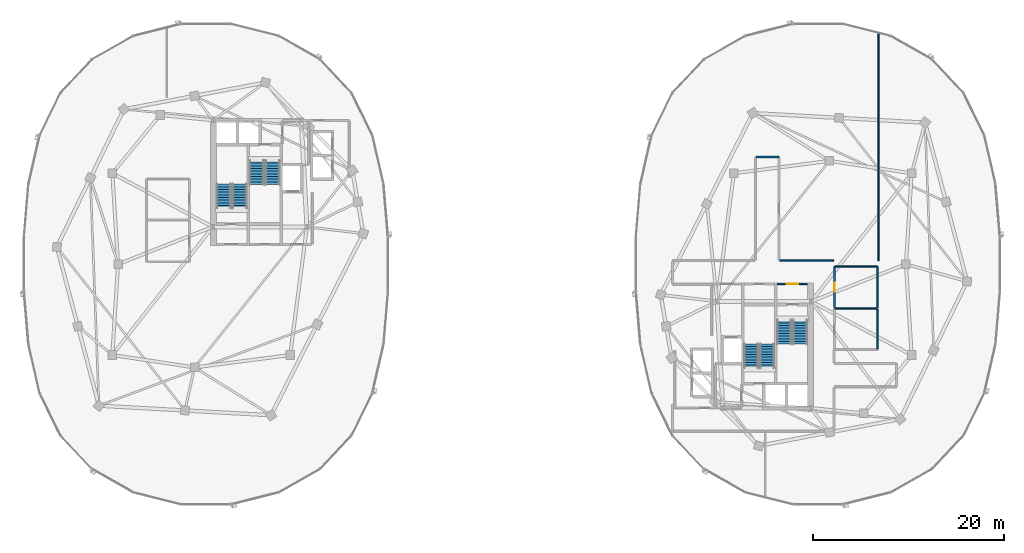
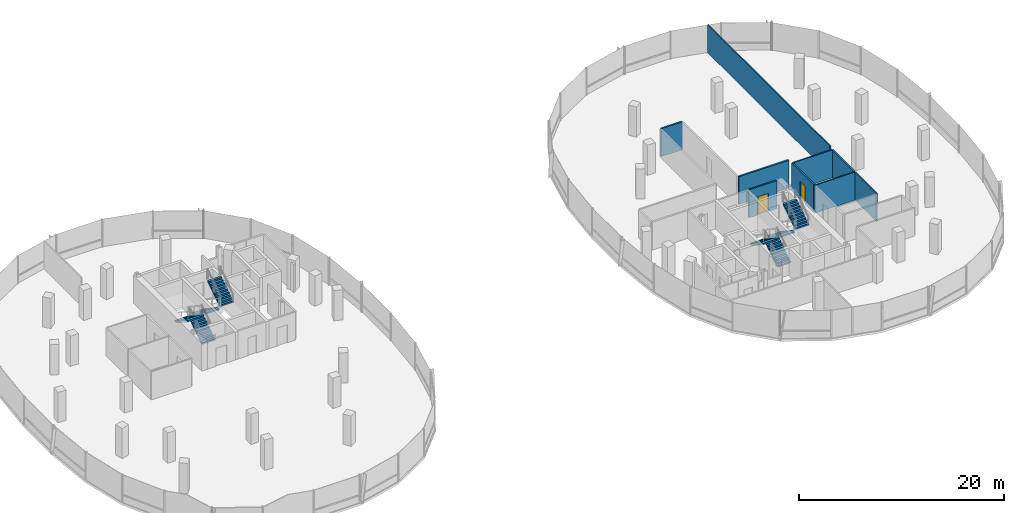
# One storey, part 17 of 24: 9 walls, 8 stair flights, 2 doors, 2 openings, 4 elements without a shape of their own.
"""IFC4 building model written with IfcOpenShell, lengths in metres."""

from ifc_helpers import new_model, si_unit, direction, frame, frame_2d, origin, place, context, subcontext, project, spatial, polyline, rectangle, outline, extrude, material, layer, layer_set, type_object, element, fill, aggregate, save


model = new_model("IFC4")

# Units and contexts
model_context = context("Model", 3, precision=1e-05, world=origin(), true_north=direction((0.0, 1.0)))
body_context = subcontext(model_context, "Body", "Model", "MODEL_VIEW")
ifc_project = project(units=[si_unit("LENGTHUNIT", "METRE"), si_unit("AREAUNIT", "SQUARE_METRE"), si_unit("VOLUMEUNIT", "CUBIC_METRE"), si_unit("PLANEANGLEUNIT", "RADIAN"), si_unit("MASSUNIT", "GRAM", prefix="KILO"), si_unit("THERMODYNAMICTEMPERATUREUNIT", "KELVIN"), si_unit("POWERUNIT", "WATT")], contexts=[model_context])

# Site, building, storey
site_placement = place(None, origin())
site = spatial("IfcSite", under=ifc_project, at=site_placement, CompositionType="ELEMENT")
building_placement = place(site_placement, origin())
building = spatial("IfcBuilding", under=site, at=building_placement, Name="Cundina Bronze Exchange", CompositionType="ELEMENT")
storey_placement = place(building_placement, frame((0.0, 0.0, 231.39990234375)))
storey = spatial("IfcBuildingStorey", under=building, at=storey_placement, Name="L61", CompositionType="ELEMENT", Elevation=231.39990234375)

# Wall, opening, door
ifc_material_1 = material(Name="Gypsum Fireboard Partition EI120")
ifc_layer_1 = layer(ifc_material_1, 0.179931640625, Name="Gypsum Fireboard Partition EI120")
ifc_layer_set_1 = layer_set([ifc_layer_1], Name="Gypsum Fireboard Partition EI120")
wall_type_1 = type_object("IfcWallType", Name="WL-COR-180", PredefinedType="PARTITIONING", material=ifc_layer_set_1)
wall_1_placement = place(storey_placement, frame((27.739990234375, -2.06005859375, 0.0), z_axis=(0.0, 0.0, 1.0), x_axis=(1.0, 0.0, 0.0)))
wall_1 = element("IfcWall", 1, at=wall_1_placement, inside=storey, type_object=wall_type_1, Name="L61 E Stair Vestibule Exit Wall", PredefinedType="PARTITIONING", context=body_context, shape_type="SweptSolid", body=[
    extrude(rectangle(XDim=3.159912109375, YDim=0.179931640625, at=frame_2d((1.580078125, 0.0))), origin(), (0.0, 0.0, 1.0), 3.320068359375),
])
opening_1_placement = place(wall_1_placement, frame((0.97998046875, 0.0, 0.0)))
opening_1 = element("IfcOpeningElement", 2, at=opening_1_placement, cuts=wall_1, Name="Opening DF-01", PredefinedType="OPENING", context=body_context, shape_type="SweptSolid", body=[
    extrude(rectangle(XDim=1.199951171875, YDim=2.14990234375, at=frame_2d((0.60009765625, 1.074951171875))), frame((0.0, 0.099853515625, 0.0), z_axis=(0.0, -1.0, 0.0), x_axis=(1.0, 0.0, 0.0)), (0.0, 0.0, 1.0), 0.199951171875),
])
ifc_material_2 = material(Name="Steel ASTM A36 Painted", Category="steel")
door_type_1 = type_object("IfcDoorType", Name="DR-FFL-1200", OperationType="NOTDEFINED", PredefinedType="DOOR", material=ifc_material_2)
door_1_placement = place(opening_1_placement, origin())
door_1 = element("IfcDoor", 3, at=door_1_placement, inside=storey, type_object=door_type_1, Name="L61 E Stair Vestibule Door", OperationType="SINGLE_SWING_RIGHT", OverallHeight=2.14990234375, OverallWidth=1.199951171875, PredefinedType="DOOR", context=body_context, shape_type="SweptSolid", body=[
    extrude(rectangle(XDim=1.199951171875, YDim=2.14990234375, at=frame_2d((0.60009765625, 1.074951171875))), frame((0.0, 0.02490234375, 0.0), z_axis=(0.0, -1.0, 0.0), x_axis=(1.0, 0.0, 0.0)), (0.0, 0.0, 1.0), 0.050048828125),
])
fill(opening_1, door_1)

wall_2_placement = place(storey_placement, frame((33.719970703125, -4.530029296875, 0.0), z_axis=(0.0, 0.0, 1.0), x_axis=(0.0, 1.0, 0.0)))
wall_2 = element("IfcWall", 4, at=wall_2_placement, inside=storey, type_object=wall_type_1, Name="L61 Interior Partition 030", PredefinedType="PARTITIONING", context=body_context, shape_type="SweptSolid", body=[
    extrude(rectangle(XDim=4.260009765625, YDim=0.179931640625, at=frame_2d((2.1298828125, 0.0))), origin(), (0.0, 0.0, 1.0), 3.320068359375),
])
opening_2_placement = place(wall_2_placement, frame((1.655029296875, 0.0, 0.0)))
opening_2 = element("IfcOpeningElement", 5, at=opening_2_placement, cuts=wall_2, Name="Opening DW-01", PredefinedType="OPENING", context=body_context, shape_type="SweptSolid", body=[
    extrude(rectangle(XDim=0.949951171875, YDim=2.10009765625, at=frame_2d((0.47509765625, 1.050048828125))), frame((0.0, 0.099853515625, 0.0), z_axis=(0.0, -1.0, 0.0), x_axis=(1.0, 0.0, 0.0)), (0.0, 0.0, 1.0), 0.199951171875),
])
ifc_material_3 = material(Name="Solid Andean Oak Timber Grade A", Category="wood")
door_type_2 = type_object("IfcDoorType", Name="DR-WC-950", OperationType="NOTDEFINED", PredefinedType="DOOR", material=ifc_material_3)
door_2_placement = place(opening_2_placement, origin())
door_2 = element("IfcDoor", 6, at=door_2_placement, inside=storey, type_object=door_type_2, Name="L61 Interior Door 030", OperationType="SINGLE_SWING_RIGHT", OverallHeight=2.10009765625, OverallWidth=0.949951171875, PredefinedType="DOOR", context=body_context, shape_type="SweptSolid", body=[
    extrude(rectangle(XDim=0.949951171875, YDim=2.10009765625, at=frame_2d((0.47509765625, 1.050048828125))), frame((0.0, 0.02490234375, 0.0), z_axis=(0.0, -1.0, 0.0), x_axis=(1.0, 0.0, 0.0)), (0.0, 0.0, 1.0), 0.050048828125),
])
fill(opening_2, door_2)

# Walls
wall_3_placement = place(storey_placement, frame((33.62841796875, 0.3701171875, 0.0), z_axis=(0.0, 0.0, 1.0), x_axis=(-1.0, 0.0, 0.0)))
element("IfcWall", 7, at=wall_3_placement, inside=storey, type_object=wall_type_1, Name="L61 Interior Partition 041", PredefinedType="PARTITIONING", context=body_context, shape_type="SweptSolid", body=[
    extrude(rectangle(XDim=5.62841796875, YDim=0.179931640625, at=frame_2d((2.814208984375, 0.0))), origin(), (0.0, 0.0, 1.0), 3.320068359375),
])
wall_4_placement = place(storey_placement, frame((27.87841796875, 11.219970703125, 0.0), z_axis=(0.0, 0.0, 1.0), x_axis=(-1.0, 0.0, 0.0)))
element("IfcWall", 8, at=wall_4_placement, inside=storey, type_object=wall_type_1, Name="L61 Interior Partition 046", PredefinedType="PARTITIONING", context=body_context, shape_type="SweptSolid", body=[
    extrude(rectangle(XDim=2.35693359375, YDim=0.179931640625, at=frame_2d((1.178466796875, 0.0))), origin(), (0.0, 0.0, 1.0), 3.320068359375),
])
ifc_material_4 = material(Name="Gypsum Acoustic Partition EI60")
ifc_layer_2 = layer(ifc_material_4, 0.125, Name="Gypsum Acoustic Partition EI60")
ifc_layer_set_2 = layer_set([ifc_layer_2], Name="Gypsum Acoustic Partition EI60")
wall_type_2 = type_object("IfcWallType", Name="WL-OFF-125", PredefinedType="PARTITIONING", material=ifc_layer_set_2)
wall_5_placement = place(storey_placement, frame((38.340087890625, 0.3701171875, 0.0), z_axis=(0.0, 0.0, 1.0), x_axis=(0.0, 1.0, 0.0)))
element("IfcWall", 9, at=wall_5_placement, inside=storey, type_object=wall_type_2, Name="L61 Interior Partition 032", PredefinedType="PARTITIONING", context=body_context, shape_type="SweptSolid", body=[
    extrude(rectangle(XDim=23.884521484375, YDim=0.125, at=frame_2d((11.9423828125, 0.0))), origin(), (0.0, 0.0, 1.0), 3.320068359375),
])
ifc_material_5 = material(Name="Moisture-Resistant Masonry Block Grade M15", Category="masonry")
ifc_layer_3 = layer(ifc_material_5, 0.139892578125, Name="Moisture-Resistant Masonry Block Grade M15", Category="masonry")
ifc_layer_set_3 = layer_set([ifc_layer_3], Name="Moisture-Resistant Masonry Block Grade M15")
wall_type_3 = type_object("IfcWallType", Name="WL-WET-140", PredefinedType="PARTITIONING", material=ifc_layer_set_3)
wall_6_placement = place(storey_placement, frame((38.239990234375, -8.889892578125, 0.0), z_axis=(0.0, 0.0, 1.0), x_axis=(0.0, 1.0, 0.0)))
element("IfcWall", 10, at=wall_6_placement, inside=storey, type_object=wall_type_3, Name="L61 Interior Partition 025", PredefinedType="PARTITIONING", context=body_context, shape_type="SweptSolid", body=[
    extrude(rectangle(XDim=4.1748046875, YDim=0.139892578125, at=frame_2d((2.08740234375, 0.0))), origin(), (0.0, 0.0, 1.0), 3.320068359375),
])
wall_7_placement = place(storey_placement, frame((38.239990234375, -4.544921875, 0.0), z_axis=(0.0, 0.0, 1.0), x_axis=(0.0, 1.0, 0.0)))
element("IfcWall", 11, at=wall_7_placement, inside=storey, type_object=wall_type_3, Name="L61 Interior Partition 026", PredefinedType="PARTITIONING", context=body_context, shape_type="SweptSolid", body=[
    extrude(rectangle(XDim=4.27490234375, YDim=0.139892578125, at=frame_2d((2.137451171875, 0.0))), origin(), (0.0, 0.0, 1.0), 3.320068359375),
])
for number, where, z_axis, x_axis, name in (
    (12, (33.739990234375, -0.25, 0.0), (0.0, 0.0, 1.0), (1.0, 0.0, 0.0), "L61 Interior Partition 027"),
    (13, (33.739990234375, -4.6298828125, 0.0), (0.0, 0.0, 1.0), (1.0, 0.0, 0.0), "L61 Interior Partition 028"),
):
    element("IfcWall", number, at=place(storey_placement, frame(where, z_axis=z_axis, x_axis=x_axis)), inside=storey, type_object=wall_type_3, Name=name, PredefinedType="PARTITIONING", context=body_context, shape_type="SweptSolid", body=[
        extrude(rectangle(XDim=4.47998046875, YDim=0.139892578125, at=frame_2d((2.239990234375, 0.0))), origin(), (0.0, 0.0, 1.0), 3.320068359375),
    ])

# Stair, stair flights
ifc_material_6 = material(Name="Concrete C40/50", Category="concrete")
stair_type = type_object("IfcStairType", Name="STR-OFF-360", PredefinedType="HALF_TURN_STAIR", material=ifc_material_6)
stair_1_placement = place(storey_placement, origin())
stair_1 = element("IfcStair", 14, at=stair_1_placement, inside=storey, type_object=stair_type, Name="L61 Smokeproof Exit Stair W1", PredefinedType="HALF_TURN_STAIR")
stair_flight_type = type_object("IfcStairFlightType", Name="FLG-OFF-180", PredefinedType="STRAIGHT", material=ifc_material_6)
stair_flight_1_placement = place(storey_placement, frame((-28.489990234375, 5.85009765625, 0.0), z_axis=(0.0, 0.0, 1.0), x_axis=(0.0, 1.0, 0.0)))
stair_flight_1 = element("IfcStairFlight", 15, at=stair_flight_1_placement, type_object=stair_flight_type, Name="ST-W1 flight 1", NumberOfRisers=10, NumberOfTreads=9, PredefinedType="STRAIGHT", RiserHeight=0.18, TreadLength=0.28, context=body_context, shape_type="SweptSolid", body=[
    extrude(outline(polyline([(0.0, 0.0), (0.0, 0.179931640625), (0.280029296875, 0.179931640625), (0.280029296875, 0.360107421875), (0.56005859375, 0.360107421875), (0.56005859375, 0.5400390625), (0.840087890625, 0.5400390625), (0.840087890625, 0.719970703125), (1.1201171875, 0.719970703125), (1.1201171875, 0.89990234375), (1.39990234375, 0.89990234375), (1.39990234375, 1.080078125), (1.679931640625, 1.080078125), (1.679931640625, 1.260009765625), (1.9599609375, 1.260009765625), (1.9599609375, 1.43994140625), (2.239990234375, 1.43994140625), (2.239990234375, 1.6201171875), (2.52001953125, 1.6201171875), (2.52001953125, 1.800048828125), (2.52001953125, 1.44189453125), (0.277099609375, 0.0), (0.0, 0.0)])), frame((0.0, 0.75, 0.0), z_axis=(0.0, -1.0, 0.0), x_axis=(1.0, 0.0, 0.0)), (0.0, 0.0, 1.0), 1.5),
])
stair_flight_2_placement = place(storey_placement, frame((-30.14990234375, 8.3701171875, 1.800048828125), z_axis=(0.0, 0.0, 1.0), x_axis=(0.0, -1.0, 0.0)))
stair_flight_2 = element("IfcStairFlight", 16, at=stair_flight_2_placement, type_object=stair_flight_type, Name="ST-W1 flight 2", NumberOfRisers=10, NumberOfTreads=9, PredefinedType="STRAIGHT", RiserHeight=0.18, TreadLength=0.28, context=body_context, shape_type="SweptSolid", body=[
    extrude(outline(polyline([(0.0, 0.0), (0.0, 0.179931640625), (0.280029296875, 0.179931640625), (0.280029296875, 0.360107421875), (0.56005859375, 0.360107421875), (0.56005859375, 0.5400390625), (0.840087890625, 0.5400390625), (0.840087890625, 0.719970703125), (1.1201171875, 0.719970703125), (1.1201171875, 0.89990234375), (1.39990234375, 0.89990234375), (1.39990234375, 1.080078125), (1.679931640625, 1.080078125), (1.679931640625, 1.260009765625), (1.9599609375, 1.260009765625), (1.9599609375, 1.43994140625), (2.239990234375, 1.43994140625), (2.239990234375, 1.6201171875), (2.52001953125, 1.6201171875), (2.52001953125, 1.800048828125), (2.52001953125, 1.44189453125), (0.277099609375, 0.0), (0.0, 0.0)])), frame((0.0, 0.75, 0.0), z_axis=(0.0, -1.0, 0.0), x_axis=(1.0, 0.0, 0.0)), (0.0, 0.0, 1.0), 1.5),
])
aggregate(stair_1, [stair_flight_1, stair_flight_2])

stair_2_placement = place(storey_placement, origin())
stair_2 = element("IfcStair", 17, at=stair_2_placement, inside=storey, type_object=stair_type, Name="L61 Smokeproof Exit Stair W2", PredefinedType="HALF_TURN_STAIR")
stair_flight_3_placement = place(storey_placement, frame((-26.68994140625, 10.85009765625, 0.0), z_axis=(0.0, 0.0, 1.0), x_axis=(0.0, -1.0, 0.0)))
stair_flight_3 = element("IfcStairFlight", 18, at=stair_flight_3_placement, type_object=stair_flight_type, Name="ST-W2 flight 1", NumberOfRisers=10, NumberOfTreads=9, PredefinedType="STRAIGHT", RiserHeight=0.18, TreadLength=0.28, context=body_context, shape_type="SweptSolid", body=[
    extrude(outline(polyline([(0.0, 0.0), (0.0, 0.179931640625), (0.280029296875, 0.179931640625), (0.280029296875, 0.360107421875), (0.56005859375, 0.360107421875), (0.56005859375, 0.5400390625), (0.840087890625, 0.5400390625), (0.840087890625, 0.719970703125), (1.1201171875, 0.719970703125), (1.1201171875, 0.89990234375), (1.39990234375, 0.89990234375), (1.39990234375, 1.080078125), (1.679931640625, 1.080078125), (1.679931640625, 1.260009765625), (1.9599609375, 1.260009765625), (1.9599609375, 1.43994140625), (2.239990234375, 1.43994140625), (2.239990234375, 1.6201171875), (2.52001953125, 1.6201171875), (2.52001953125, 1.800048828125), (2.52001953125, 1.44189453125), (0.277099609375, 0.0), (0.0, 0.0)])), frame((0.0, 0.75, 0.0), z_axis=(0.0, -1.0, 0.0), x_axis=(1.0, 0.0, 0.0)), (0.0, 0.0, 1.0), 1.5),
])
stair_flight_4_placement = place(storey_placement, frame((-25.030029296875, 8.330078125, 1.800048828125), z_axis=(0.0, 0.0, 1.0), x_axis=(0.0, 1.0, 0.0)))
stair_flight_4 = element("IfcStairFlight", 19, at=stair_flight_4_placement, type_object=stair_flight_type, Name="ST-W2 flight 2", NumberOfRisers=10, NumberOfTreads=9, PredefinedType="STRAIGHT", RiserHeight=0.18, TreadLength=0.28, context=body_context, shape_type="SweptSolid", body=[
    extrude(outline(polyline([(0.0, 0.0), (0.0, 0.179931640625), (0.280029296875, 0.179931640625), (0.280029296875, 0.360107421875), (0.56005859375, 0.360107421875), (0.56005859375, 0.5400390625), (0.840087890625, 0.5400390625), (0.840087890625, 0.719970703125), (1.1201171875, 0.719970703125), (1.1201171875, 0.89990234375), (1.39990234375, 0.89990234375), (1.39990234375, 1.080078125), (1.679931640625, 1.080078125), (1.679931640625, 1.260009765625), (1.9599609375, 1.260009765625), (1.9599609375, 1.43994140625), (2.239990234375, 1.43994140625), (2.239990234375, 1.6201171875), (2.52001953125, 1.6201171875), (2.52001953125, 1.800048828125), (2.52001953125, 1.44189453125), (0.277099609375, 0.0), (0.0, 0.0)])), frame((0.0, 0.75, 0.0), z_axis=(0.0, -1.0, 0.0), x_axis=(1.0, 0.0, 0.0)), (0.0, 0.0, 1.0), 1.5),
])
aggregate(stair_2, [stair_flight_3, stair_flight_4])

stair_3_placement = place(storey_placement, origin())
stair_3 = element("IfcStair", 20, at=stair_3_placement, inside=storey, type_object=stair_type, Name="L61 Smokeproof Exit Stair E1", PredefinedType="HALF_TURN_STAIR")
stair_flight_5_placement = place(storey_placement, frame((28.489990234375, -5.85009765625, 0.0), z_axis=(0.0, 0.0, 1.0), x_axis=(0.0, -1.0, 0.0)))
stair_flight_5 = element("IfcStairFlight", 21, at=stair_flight_5_placement, type_object=stair_flight_type, Name="ST-E1 flight 1", NumberOfRisers=10, NumberOfTreads=9, PredefinedType="STRAIGHT", RiserHeight=0.18, TreadLength=0.28, context=body_context, shape_type="SweptSolid", body=[
    extrude(outline(polyline([(0.0, 0.0), (0.0, 0.179931640625), (0.280029296875, 0.179931640625), (0.280029296875, 0.360107421875), (0.56005859375, 0.360107421875), (0.56005859375, 0.5400390625), (0.840087890625, 0.5400390625), (0.840087890625, 0.719970703125), (1.1201171875, 0.719970703125), (1.1201171875, 0.89990234375), (1.39990234375, 0.89990234375), (1.39990234375, 1.080078125), (1.679931640625, 1.080078125), (1.679931640625, 1.260009765625), (1.9599609375, 1.260009765625), (1.9599609375, 1.43994140625), (2.239990234375, 1.43994140625), (2.239990234375, 1.6201171875), (2.52001953125, 1.6201171875), (2.52001953125, 1.800048828125), (2.52001953125, 1.44189453125), (0.277099609375, 0.0), (0.0, 0.0)])), frame((0.0, 0.75, 0.0), z_axis=(0.0, -1.0, 0.0), x_axis=(1.0, 0.0, 0.0)), (0.0, 0.0, 1.0), 1.5),
])
stair_flight_6_placement = place(storey_placement, frame((30.14990234375, -8.3701171875, 1.800048828125), z_axis=(0.0, 0.0, 1.0), x_axis=(0.0, 1.0, 0.0)))
stair_flight_6 = element("IfcStairFlight", 22, at=stair_flight_6_placement, type_object=stair_flight_type, Name="ST-E1 flight 2", NumberOfRisers=10, NumberOfTreads=9, PredefinedType="STRAIGHT", RiserHeight=0.18, TreadLength=0.28, context=body_context, shape_type="SweptSolid", body=[
    extrude(outline(polyline([(0.0, 0.0), (0.0, 0.179931640625), (0.280029296875, 0.179931640625), (0.280029296875, 0.360107421875), (0.56005859375, 0.360107421875), (0.56005859375, 0.5400390625), (0.840087890625, 0.5400390625), (0.840087890625, 0.719970703125), (1.1201171875, 0.719970703125), (1.1201171875, 0.89990234375), (1.39990234375, 0.89990234375), (1.39990234375, 1.080078125), (1.679931640625, 1.080078125), (1.679931640625, 1.260009765625), (1.9599609375, 1.260009765625), (1.9599609375, 1.43994140625), (2.239990234375, 1.43994140625), (2.239990234375, 1.6201171875), (2.52001953125, 1.6201171875), (2.52001953125, 1.800048828125), (2.52001953125, 1.44189453125), (0.277099609375, 0.0), (0.0, 0.0)])), frame((0.0, 0.75, 0.0), z_axis=(0.0, -1.0, 0.0), x_axis=(1.0, 0.0, 0.0)), (0.0, 0.0, 1.0), 1.5),
])
aggregate(stair_3, [stair_flight_5, stair_flight_6])

stair_4_placement = place(storey_placement, origin())
stair_4 = element("IfcStair", 23, at=stair_4_placement, inside=storey, type_object=stair_type, Name="L61 Smokeproof Exit Stair E2", PredefinedType="HALF_TURN_STAIR")
stair_flight_7_placement = place(storey_placement, frame((26.68994140625, -10.85009765625, 0.0), z_axis=(0.0, 0.0, 1.0), x_axis=(0.0, 1.0, 0.0)))
stair_flight_7 = element("IfcStairFlight", 24, at=stair_flight_7_placement, type_object=stair_flight_type, Name="ST-E2 flight 1", NumberOfRisers=10, NumberOfTreads=9, PredefinedType="STRAIGHT", RiserHeight=0.18, TreadLength=0.28, context=body_context, shape_type="SweptSolid", body=[
    extrude(outline(polyline([(0.0, 0.0), (0.0, 0.179931640625), (0.280029296875, 0.179931640625), (0.280029296875, 0.360107421875), (0.56005859375, 0.360107421875), (0.56005859375, 0.5400390625), (0.840087890625, 0.5400390625), (0.840087890625, 0.719970703125), (1.1201171875, 0.719970703125), (1.1201171875, 0.89990234375), (1.39990234375, 0.89990234375), (1.39990234375, 1.080078125), (1.679931640625, 1.080078125), (1.679931640625, 1.260009765625), (1.9599609375, 1.260009765625), (1.9599609375, 1.43994140625), (2.239990234375, 1.43994140625), (2.239990234375, 1.6201171875), (2.52001953125, 1.6201171875), (2.52001953125, 1.800048828125), (2.52001953125, 1.44189453125), (0.277099609375, 0.0), (0.0, 0.0)])), frame((0.0, 0.75, 0.0), z_axis=(0.0, -1.0, 0.0), x_axis=(1.0, 0.0, 0.0)), (0.0, 0.0, 1.0), 1.5),
])
stair_flight_8_placement = place(storey_placement, frame((25.030029296875, -8.330078125, 1.800048828125), z_axis=(0.0, 0.0, 1.0), x_axis=(0.0, -1.0, 0.0)))
stair_flight_8 = element("IfcStairFlight", 25, at=stair_flight_8_placement, type_object=stair_flight_type, Name="ST-E2 flight 2", NumberOfRisers=10, NumberOfTreads=9, PredefinedType="STRAIGHT", RiserHeight=0.18, TreadLength=0.28, context=body_context, shape_type="SweptSolid", body=[
    extrude(outline(polyline([(0.0, 0.0), (0.0, 0.179931640625), (0.280029296875, 0.179931640625), (0.280029296875, 0.360107421875), (0.56005859375, 0.360107421875), (0.56005859375, 0.5400390625), (0.840087890625, 0.5400390625), (0.840087890625, 0.719970703125), (1.1201171875, 0.719970703125), (1.1201171875, 0.89990234375), (1.39990234375, 0.89990234375), (1.39990234375, 1.080078125), (1.679931640625, 1.080078125), (1.679931640625, 1.260009765625), (1.9599609375, 1.260009765625), (1.9599609375, 1.43994140625), (2.239990234375, 1.43994140625), (2.239990234375, 1.6201171875), (2.52001953125, 1.6201171875), (2.52001953125, 1.800048828125), (2.52001953125, 1.44189453125), (0.277099609375, 0.0), (0.0, 0.0)])), frame((0.0, 0.75, 0.0), z_axis=(0.0, -1.0, 0.0), x_axis=(1.0, 0.0, 0.0)), (0.0, 0.0, 1.0), 1.5),
])
aggregate(stair_4, [stair_flight_7, stair_flight_8])

save(model, "model.ifc")
